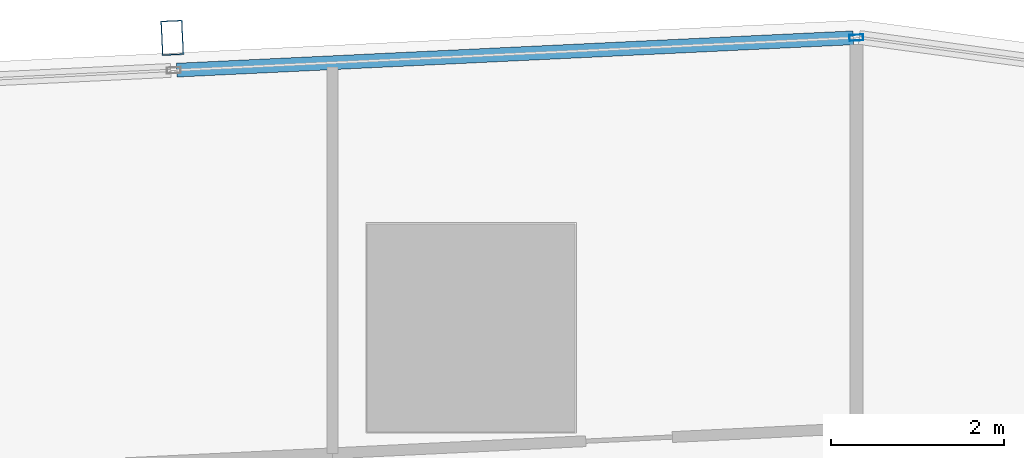
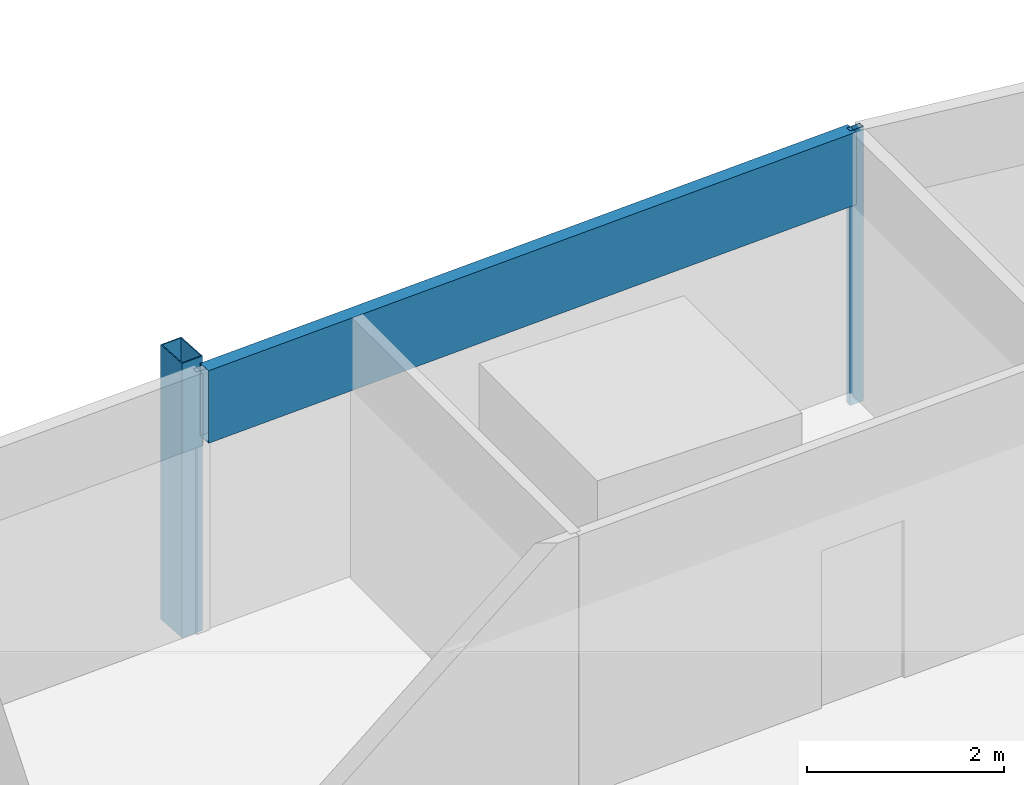
# One storey, part 20 of 34: 3 members, 1 element without a shape of its own.
"""IFC4 building model written with IfcOpenShell, lengths in metres."""

from ifc_helpers import new_model, si_unit, direction, frame, origin, origin_2d, place, context, subcontext, project, spatial, hollow_rectangle, extrude, material, material_profile, profile_set, type_object, element, aggregate, save


model = new_model("IFC4")

# Units and contexts
model_context = context("Model", 3, precision=1e-05, world=origin(), true_north=direction((0.0, 1.0)))
body_context = subcontext(model_context, "Body", "Model", "MODEL_VIEW")
ifc_project = project(units=[si_unit("LENGTHUNIT", "METRE"), si_unit("AREAUNIT", "SQUARE_METRE"), si_unit("VOLUMEUNIT", "CUBIC_METRE"), si_unit("PLANEANGLEUNIT", "RADIAN"), si_unit("MASSUNIT", "GRAM", prefix="KILO")], contexts=[model_context])

# Site, building, storey
site_placement = place(None, origin())
site = spatial("IfcSite", under=ifc_project, at=site_placement, CompositionType="ELEMENT")
building_placement = place(site_placement, origin())
building = spatial("IfcBuilding", under=site, at=building_placement, Name="Rekha Terrace Tower", CompositionType="ELEMENT")
storey_placement = place(building_placement, frame((0.0, 0.0, 236.449951171875)))
storey = spatial("IfcBuildingStorey", under=building, at=storey_placement, Name="L60", CompositionType="ELEMENT", Elevation=236.449951171875)

# Curtain wall, members
ifc_material_1 = material(Name="Aluminium framing", Category="aluminium")
curtain_wall_type = type_object("IfcCurtainWallType", Name="CW3 north unitised glazing", PredefinedType="USERDEFINED", material=ifc_material_1)
curtain_wall_placement = place(storey_placement, origin())
curtain_wall = element("IfcCurtainWall", 1, at=curtain_wall_placement, inside=storey, type_object=curtain_wall_type, Name="CW3 unitised curtain wall", ObjectType="UNITISED CURTAIN WALL", PredefinedType="USERDEFINED")
ifc_material_2 = material(Name="Steel S355 with fluorocarbon finish", Category="steel")
ifc_material_profile_1 = material_profile(ifc_material_2, hollow_rectangle(XDim=0.25, YDim=0.39990234375, WallThickness=0.012451171875, at=origin_2d()), Name="RHS400x250x12.5")
ifc_profile_set_1 = profile_set([ifc_material_profile_1], Name="Steel S355 with fluorocarbon finish")
member_type_1 = type_object("IfcMemberType", Name="BL1 facade blade RHS 400 x 250", PredefinedType="USERDEFINED", material=ifc_profile_set_1)
member_1_placement = place(storey_placement, frame((38.55224609375, 62.145751953125, 0.0), z_axis=(0.0, 0.0, 1.0), x_axis=(-0.998858913274, -0.04775846913, 0.0)))
member_1 = element("IfcMember", 2, at=member_1_placement, type_object=member_type_1, Name="Facade blade", ObjectType="FACADE BLADE", PredefinedType="USERDEFINED", context=body_context, shape_type="SweptSolid", body=[
    extrude(hollow_rectangle(XDim=0.25, YDim=0.39990234375, WallThickness=0.012451171875, at=origin_2d()), origin(), (0.0, 0.0, 1.0), 3.400146484375),
])
ifc_material_3 = material(Name="Aluminium mullion section", Category="aluminium")
ifc_material_profile_2 = material_profile(ifc_material_3, hollow_rectangle(XDim=0.070068359375, YDim=0.159912109375, WallThickness=0.00390625, at=origin_2d()), Name="AL RHS 70x160")
ifc_profile_set_2 = profile_set([ifc_material_profile_2], Name="Aluminium mullion section")
member_type_2 = type_object("IfcMemberType", Name="CW3 mullion RHS 70 x 160", PredefinedType="MULLION", material=ifc_profile_set_2)
member_2_placement = place(storey_placement, frame((46.4443359375, 62.147705078125, 0.0), z_axis=(0.0, 0.0, 1.0), x_axis=(0.047758616983, -0.998858906204, 0.0)))
member_2 = element("IfcMember", 3, at=member_2_placement, type_object=member_type_2, Name="CW3 mullion 1", PredefinedType="MULLION", context=body_context, shape_type="SweptSolid", body=[
    extrude(hollow_rectangle(XDim=0.070068359375, YDim=0.159912109375, WallThickness=0.00390625, at=origin_2d()), origin(), (0.0, 0.0, 1.0), 3.400146484375),
])
ifc_material_4 = material(Name="Insulated aluminium spandrel box", Category="aluminium")
ifc_material_profile_3 = material_profile(ifc_material_4, hollow_rectangle(XDim=0.159912109375, YDim=0.89990234375, WallThickness=0.0029296875, at=origin_2d()), Name="AL SPANDREL BOX 160x900")
ifc_profile_set_3 = profile_set([ifc_material_profile_3], Name="Insulated aluminium spandrel box")
member_type_3 = type_object("IfcMemberType", Name="CW3 spandrel transom 160 x 900", PredefinedType="USERDEFINED", material=ifc_profile_set_3)
member_3_placement = place(storey_placement, frame((46.4091796875, 62.14599609375, 2.949951171875), z_axis=(-0.998859425172, -0.047747761666, 0.0), x_axis=(0.047747761666, -0.998859425172, 0.0)))
member_3 = element("IfcMember", 4, at=member_3_placement, type_object=member_type_3, Name="CW3 spandrel transom 1", ObjectType="TRANSOM", PredefinedType="USERDEFINED", context=body_context, shape_type="SweptSolid", body=[
    extrude(hollow_rectangle(XDim=0.159912109375, YDim=0.89990234375, WallThickness=0.0029296875, at=origin_2d()), origin(), (0.0, 0.0, 1.0), 7.81298828125),
])
aggregate(curtain_wall, [member_2, member_3, member_1])

save(model, "model.ifc")
